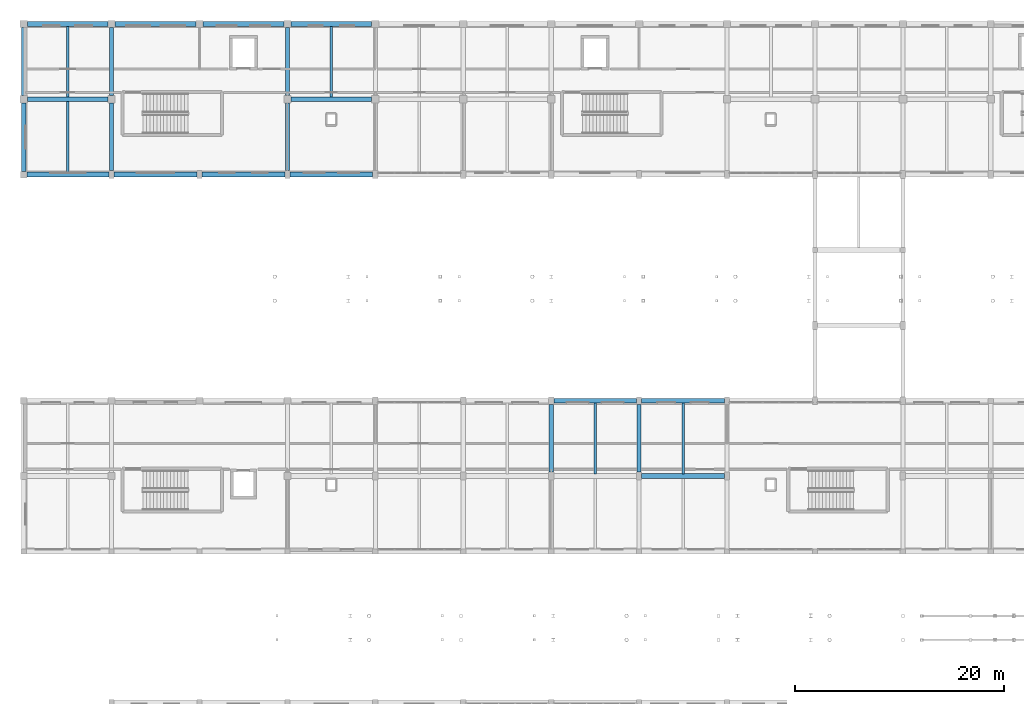
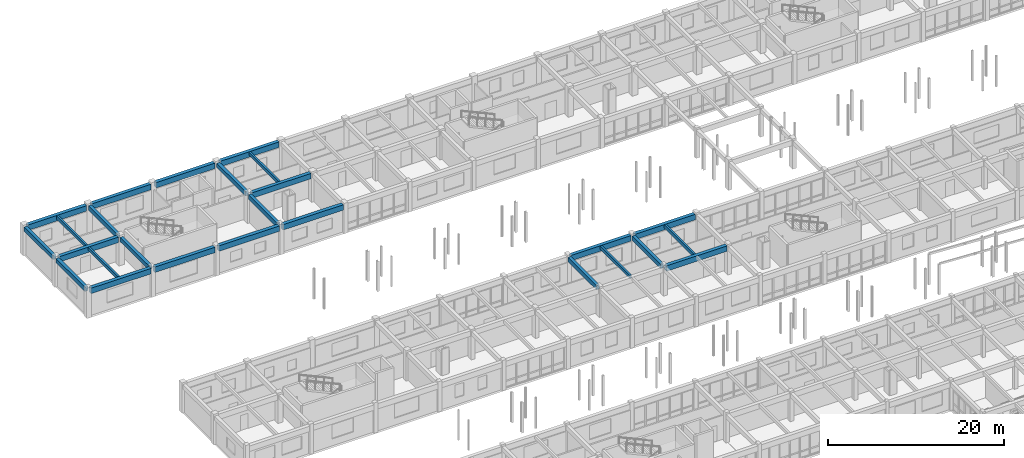
# One storey, part 42 of 90: 26 beams.
"""IFC4 building model written with IfcOpenShell, lengths in metres."""

from ifc_helpers import new_model, si_unit, direction, frame, origin, origin_2d, place, context, subcontext, project, spatial, rectangle, extrude, material, material_profile, profile_set, type_object, element, save


model = new_model("IFC4")

# Units and contexts
model_context = context("Model", 3, precision=1e-05, world=origin(), true_north=direction((0.0, 1.0)))
body_context = subcontext(model_context, "Body", "Model", "MODEL_VIEW")
ifc_project = project(units=[si_unit("LENGTHUNIT", "METRE"), si_unit("AREAUNIT", "SQUARE_METRE"), si_unit("VOLUMEUNIT", "CUBIC_METRE"), si_unit("PLANEANGLEUNIT", "RADIAN"), si_unit("MASSUNIT", "GRAM", prefix="KILO")], contexts=[model_context])

# Site, building, storey
site_placement = place(None, origin())
site = spatial("IfcSite", under=ifc_project, at=site_placement, CompositionType="ELEMENT")
building_placement = place(site_placement, origin())
building = spatial("IfcBuilding", under=site, at=building_placement, Name="Malvenik Polytechnic", CompositionType="ELEMENT")
storey_placement = place(building_placement, frame((0.0, 0.0, 9.300048828125)))
storey = spatial("IfcBuildingStorey", under=building, at=storey_placement, Name="L02", CompositionType="ELEMENT", Elevation=9.300048828125)

# Beams
ifc_material_1 = material(Name="Concrete C35/45", Category="concrete")
ifc_material_profile_1 = material_profile(ifc_material_1, rectangle(XDim=0.449951171875, YDim=0.75, at=origin_2d()), Name="RC BM 450x750")
ifc_profile_set_1 = profile_set([ifc_material_profile_1], Name="Concrete C35/45")
beam_type_1 = type_object("IfcBeamType", Name="STR-BM-B-03", PredefinedType="BEAM", material=ifc_profile_set_1)
beam_1_placement = place(storey_placement, frame((59.048095703125, 86.39990234375, 3.56494140625), z_axis=(1.0, 0.0, 0.0), x_axis=(0.0, 1.0, 0.0)))
element("IfcBeam", 1, at=beam_1_placement, inside=storey, type_object=beam_type_1, Name="Primary Beam B-03 L02 #1397", PredefinedType="BEAM", context=body_context, shape_type="SweptSolid", body=[
    extrude(rectangle(XDim=0.449951171875, YDim=0.75, at=origin_2d()), origin(), (0.0, 0.0, 1.0), 7.90380859375),
])
beam_2_placement = place(storey_placement, frame((0.347900390625, 122.39990234375, 3.56494140625), z_axis=(1.0, 0.0, 0.0), x_axis=(0.0, 1.0, 0.0)))
element("IfcBeam", 2, at=beam_2_placement, inside=storey, type_object=beam_type_1, Name="Primary Beam B-03 L02 #1437", PredefinedType="BEAM", context=body_context, shape_type="SweptSolid", body=[
    extrude(rectangle(XDim=0.449951171875, YDim=0.75, at=origin_2d()), origin(), (0.0, 0.0, 1.0), 7.7041015625),
])
beam_3_placement = place(storey_placement, frame((25.548095703125, 122.39990234375, 3.56494140625), z_axis=(1.0, 0.0, 0.0), x_axis=(0.0, 1.0, 0.0)))
element("IfcBeam", 3, at=beam_3_placement, inside=storey, type_object=beam_type_1, Name="Primary Beam B-03 L02 #1438", PredefinedType="BEAM", context=body_context, shape_type="SweptSolid", body=[
    extrude(rectangle(XDim=0.449951171875, YDim=0.75, at=origin_2d()), origin(), (0.0, 0.0, 1.0), 7.703857421875),
])
ifc_material_profile_2 = material_profile(ifc_material_1, rectangle(XDim=0.39990234375, YDim=0.60009765625, at=origin_2d()), Name="RC BM 400x600")
ifc_profile_set_2 = profile_set([ifc_material_profile_2], Name="Concrete C35/45")
beam_type_2 = type_object("IfcBeamType", Name="STR-BM-B-06", PredefinedType="BEAM", material=ifc_profile_set_2)
beam_4_placement = place(storey_placement, frame((0.0, 115.498046875, 3.639892578125), z_axis=(0.0, 1.0, 0.0), x_axis=(-1.0, 0.0, 0.0)))
element("IfcBeam", 4, at=beam_4_placement, inside=storey, type_object=beam_type_2, Name="Transverse Beam B-06 L02 #1465", PredefinedType="BEAM", context=body_context, shape_type="SweptSolid", body=[
    extrude(rectangle(XDim=0.39990234375, YDim=0.60009765625, at=origin_2d()), origin(), (0.0, 0.0, 1.0), 6.553955078125),
])
beam_5_placement = place(storey_placement, frame((0.0, 122.748046875, 3.639892578125), z_axis=(0.0, 1.0, 0.0), x_axis=(-1.0, 0.0, 0.0)))
element("IfcBeam", 5, at=beam_5_placement, inside=storey, type_object=beam_type_2, Name="Transverse Beam B-06 L02 #1466", PredefinedType="BEAM", context=body_context, shape_type="SweptSolid", body=[
    extrude(rectangle(XDim=0.39990234375, YDim=0.60009765625, at=origin_2d()), origin(), (0.0, 0.0, 1.0), 6.50390625),
])
beam_6_placement = place(storey_placement, frame((8.39990234375, 115.572998046875, 3.639892578125), z_axis=(0.0, 1.0, 0.0), x_axis=(-1.0, 0.0, 0.0)))
element("IfcBeam", 6, at=beam_6_placement, inside=storey, type_object=beam_type_2, Name="Transverse Beam B-06 L02 #1471", PredefinedType="BEAM", context=body_context, shape_type="SweptSolid", body=[
    extrude(rectangle(XDim=0.39990234375, YDim=0.60009765625, at=origin_2d()), origin(), (0.0, 0.0, 1.0), 6.47900390625),
])
beam_7_placement = place(storey_placement, frame((8.39990234375, 122.748046875, 3.639892578125), z_axis=(0.0, 1.0, 0.0), x_axis=(-1.0, 0.0, 0.0)))
element("IfcBeam", 7, at=beam_7_placement, inside=storey, type_object=beam_type_2, Name="Transverse Beam B-06 L02 #1472", PredefinedType="BEAM", context=body_context, shape_type="SweptSolid", body=[
    extrude(rectangle(XDim=0.39990234375, YDim=0.60009765625, at=origin_2d()), origin(), (0.0, 0.0, 1.0), 6.50390625),
])
beam_8_placement = place(storey_placement, frame((25.199951171875, 115.572998046875, 3.639892578125), z_axis=(0.0, 1.0, 0.0), x_axis=(-1.0, 0.0, 0.0)))
element("IfcBeam", 8, at=beam_8_placement, inside=storey, type_object=beam_type_2, Name="Transverse Beam B-06 L02 #1479", PredefinedType="BEAM", context=body_context, shape_type="SweptSolid", body=[
    extrude(rectangle(XDim=0.39990234375, YDim=0.60009765625, at=origin_2d()), origin(), (0.0, 0.0, 1.0), 6.47900390625),
])
beam_9_placement = place(storey_placement, frame((25.199951171875, 122.748046875, 3.639892578125), z_axis=(0.0, 1.0, 0.0), x_axis=(-1.0, 0.0, 0.0)))
element("IfcBeam", 9, at=beam_9_placement, inside=storey, type_object=beam_type_2, Name="Transverse Beam B-06 L02 #1480", PredefinedType="BEAM", context=body_context, shape_type="SweptSolid", body=[
    extrude(rectangle(XDim=0.39990234375, YDim=0.60009765625, at=origin_2d()), origin(), (0.0, 0.0, 1.0), 6.50390625),
])
for number, where, z_axis, x_axis, name in (
    (10, (50.39990234375, 86.77294921875, 3.639892578125), (0.0, 1.0, 0.0), (-1.0, 0.0, 0.0), "Transverse Beam B-06 L02 #1494"),
    (11, (58.800048828125, 86.77294921875, 3.639892578125), (0.0, 1.0, 0.0), (-1.0, 0.0, 0.0), "Transverse Beam B-06 L02 #1500"),
):
    element("IfcBeam", number, at=place(storey_placement, frame(where, z_axis=z_axis, x_axis=x_axis)), inside=storey, type_object=beam_type_2, Name=name, PredefinedType="BEAM", context=body_context, shape_type="SweptSolid", body=[
        extrude(rectangle(XDim=0.39990234375, YDim=0.60009765625, at=origin_2d()), origin(), (0.0, 0.0, 1.0), 6.4541015625),
    ])
ifc_material_2 = material(Name="Concrete C30/37", Category="concrete")
ifc_material_profile_3 = material_profile(ifc_material_2, rectangle(XDim=0.25, YDim=0.449951171875, at=origin_2d()), Name="RC JST 250x450")
ifc_profile_set_3 = profile_set([ifc_material_profile_3], Name="Concrete C30/37")
beam_type_3 = type_object("IfcBeamType", Name="STR-BM-J-02", PredefinedType="JOIST", material=ifc_profile_set_3)
for number, where, z_axis, x_axis, name in (
    (12, (4.199951171875, 115.427978515625, 3.71484375), (0.0, 1.0, 0.0), (-1.0, 0.0, 0.0), "Secondary Rib Joist J-02 L02 #1562"),
    (13, (4.199951171875, 122.623046875, 3.71484375), (0.0, 1.0, 0.0), (-1.0, 0.0, 0.0), "Secondary Rib Joist J-02 L02 #1563"),
    (14, (29.39990234375, 122.623046875, 3.71484375), (0.0, 1.0, 0.0), (-1.0, 0.0, 0.0), "Secondary Rib Joist J-02 L02 #1570"),
    (15, (54.60009765625, 86.623046875, 3.71484375), (0.0, 1.0, 0.0), (-1.0, 0.0, 0.0), "Secondary Rib Joist J-02 L02 #1582"),
    (16, (63.0, 86.623046875, 3.71484375), (0.0, 1.0, 0.0), (-1.0, 0.0, 0.0), "Secondary Rib Joist J-02 L02 #1586"),
):
    element("IfcBeam", number, at=place(storey_placement, frame(where, z_axis=z_axis, x_axis=x_axis)), inside=storey, type_object=beam_type_3, Name=name, PredefinedType="JOIST", context=body_context, shape_type="SweptSolid", body=[
        extrude(rectangle(XDim=0.25, YDim=0.449951171875, at=origin_2d()), origin(), (0.0, 0.0, 1.0), 6.7490234375),
    ])
ifc_material_3 = material(Name="Precast concrete C40/50", Category="concrete")
ifc_material_profile_4 = material_profile(ifc_material_3, rectangle(XDim=0.4599609375, YDim=0.75, at=origin_2d()), Name="PC SPN 460x750")
ifc_profile_set_4 = profile_set([ifc_material_profile_4], Name="Precast concrete C40/50")
beam_type_4 = type_object("IfcBeamType", Name="STR-BM-SP-02", PredefinedType="SPANDREL", material=ifc_profile_set_4)
beam_10_placement = place(storey_placement, frame((50.64794921875, 93.60009765625, 3.56494140625), z_axis=(1.0, 0.0, 0.0), x_axis=(0.0, 1.0, 0.0)))
element("IfcBeam", 17, at=beam_10_placement, inside=storey, type_object=beam_type_4, Name="Primary Beam SP-02 L02 #1410", PredefinedType="SPANDREL", context=body_context, shape_type="SweptSolid", body=[
    extrude(rectangle(XDim=0.4599609375, YDim=0.75, at=origin_2d()), origin(), (0.0, 0.0, 1.0), 7.904052734375),
])
beam_11_placement = place(storey_placement, frame((59.048095703125, 93.60009765625, 3.56494140625), z_axis=(1.0, 0.0, 0.0), x_axis=(0.0, 1.0, 0.0)))
element("IfcBeam", 18, at=beam_11_placement, inside=storey, type_object=beam_type_4, Name="Primary Beam SP-02 L02 #1411", PredefinedType="SPANDREL", context=body_context, shape_type="SweptSolid", body=[
    extrude(rectangle(XDim=0.4599609375, YDim=0.75, at=origin_2d()), origin(), (0.0, 0.0, 1.0), 7.90380859375),
])
beam_12_placement = place(storey_placement, frame((0.298095703125, 115.199951171875, 3.56494140625), z_axis=(1.0, 0.0, 0.0), x_axis=(0.0, 1.0, 0.0)))
element("IfcBeam", 19, at=beam_12_placement, inside=storey, type_object=beam_type_4, Name="Primary Beam SP-02 L02 #1421", PredefinedType="SPANDREL", context=body_context, shape_type="SweptSolid", body=[
    extrude(rectangle(XDim=0.4599609375, YDim=0.75, at=origin_2d()), origin(), (0.0, 0.0, 1.0), 7.85400390625),
])
beam_13_placement = place(storey_placement, frame((8.64794921875, 115.199951171875, 3.56494140625), z_axis=(1.0, 0.0, 0.0), x_axis=(0.0, 1.0, 0.0)))
element("IfcBeam", 20, at=beam_13_placement, inside=storey, type_object=beam_type_4, Name="Primary Beam SP-02 L02 #1422", PredefinedType="SPANDREL", context=body_context, shape_type="SweptSolid", body=[
    extrude(rectangle(XDim=0.4599609375, YDim=0.75, at=origin_2d()), origin(), (0.0, 0.0, 1.0), 7.904052734375),
])
beam_14_placement = place(storey_placement, frame((17.048095703125, 115.199951171875, 3.56494140625), z_axis=(1.0, 0.0, 0.0), x_axis=(0.0, 1.0, 0.0)))
element("IfcBeam", 21, at=beam_14_placement, inside=storey, type_object=beam_type_4, Name="Primary Beam SP-02 L02 #1423", PredefinedType="SPANDREL", context=body_context, shape_type="SweptSolid", body=[
    extrude(rectangle(XDim=0.4599609375, YDim=0.75, at=origin_2d()), origin(), (0.0, 0.0, 1.0), 7.90380859375),
])
beam_15_placement = place(storey_placement, frame((25.447998046875, 115.199951171875, 3.56494140625), z_axis=(1.0, 0.0, 0.0), x_axis=(0.0, 1.0, 0.0)))
element("IfcBeam", 22, at=beam_15_placement, inside=storey, type_object=beam_type_4, Name="Primary Beam SP-02 L02 #1424", PredefinedType="SPANDREL", context=body_context, shape_type="SweptSolid", body=[
    extrude(rectangle(XDim=0.4599609375, YDim=0.75, at=origin_2d()), origin(), (0.0, 0.0, 1.0), 7.904052734375),
])
beam_16_placement = place(storey_placement, frame((0.347900390625, 129.60009765625, 3.56494140625), z_axis=(1.0, 0.0, 0.0), x_axis=(0.0, 1.0, 0.0)))
element("IfcBeam", 23, at=beam_16_placement, inside=storey, type_object=beam_type_4, Name="Primary Beam SP-02 L02 #1447", PredefinedType="SPANDREL", context=body_context, shape_type="SweptSolid", body=[
    extrude(rectangle(XDim=0.4599609375, YDim=0.75, at=origin_2d()), origin(), (0.0, 0.0, 1.0), 7.7041015625),
])
beam_17_placement = place(storey_placement, frame((8.748046875, 129.60009765625, 3.56494140625), z_axis=(1.0, 0.0, 0.0), x_axis=(0.0, 1.0, 0.0)))
element("IfcBeam", 24, at=beam_17_placement, inside=storey, type_object=beam_type_4, Name="Primary Beam SP-02 L02 #1448", PredefinedType="SPANDREL", context=body_context, shape_type="SweptSolid", body=[
    extrude(rectangle(XDim=0.4599609375, YDim=0.75, at=origin_2d()), origin(), (0.0, 0.0, 1.0), 7.703857421875),
])
beam_18_placement = place(storey_placement, frame((17.14794921875, 129.60009765625, 3.56494140625), z_axis=(1.0, 0.0, 0.0), x_axis=(0.0, 1.0, 0.0)))
element("IfcBeam", 25, at=beam_18_placement, inside=storey, type_object=beam_type_4, Name="Primary Beam SP-02 L02 #1449", PredefinedType="SPANDREL", context=body_context, shape_type="SweptSolid", body=[
    extrude(rectangle(XDim=0.4599609375, YDim=0.75, at=origin_2d()), origin(), (0.0, 0.0, 1.0), 7.7041015625),
])
beam_19_placement = place(storey_placement, frame((25.548095703125, 129.60009765625, 3.56494140625), z_axis=(1.0, 0.0, 0.0), x_axis=(0.0, 1.0, 0.0)))
element("IfcBeam", 26, at=beam_19_placement, inside=storey, type_object=beam_type_4, Name="Primary Beam SP-02 L02 #1450", PredefinedType="SPANDREL", context=body_context, shape_type="SweptSolid", body=[
    extrude(rectangle(XDim=0.4599609375, YDim=0.75, at=origin_2d()), origin(), (0.0, 0.0, 1.0), 7.703857421875),
])

save(model, "model.ifc")
